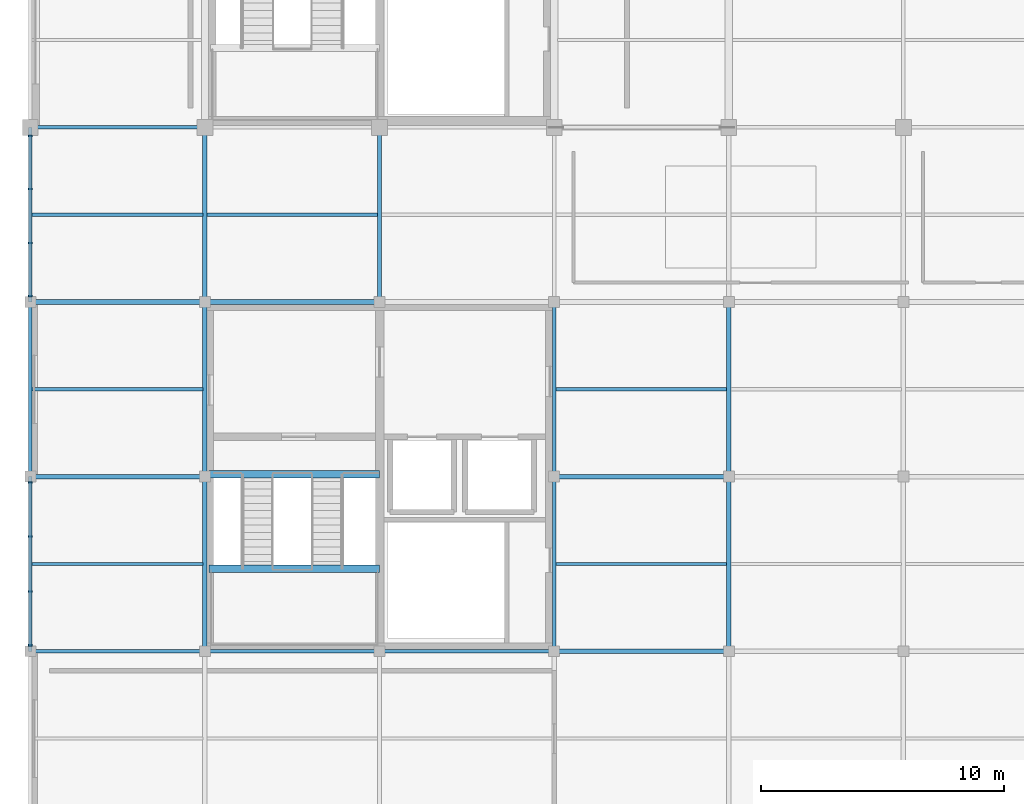
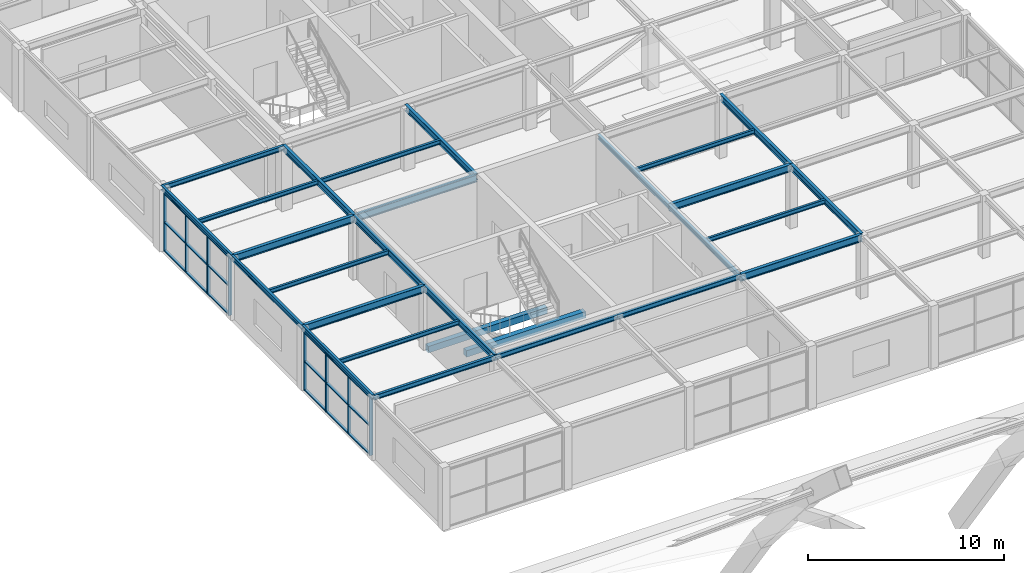
# One storey, part 31 of 64: 28 beams, 14 members, 2 elements without a shape of their own.
"""IFC4 building model written with IfcOpenShell, lengths in metres."""

import ifcopenshell
import ifcopenshell.guid

model = None  # the IFC model being written
_history = None  # IfcOwnerHistory: only IFC2X3 demands one
_inside = {}  # id of a spatial element -> (the spatial element, [elements in it])
_under = {}  # id of a project, library or spatial element -> (it, [spatial elements below it])
_declared = {}  # id of a project -> (the project, [libraries it declares])
_typed = {}  # id of a type object -> (the type object, [elements of that type])
_made_of = {}  # id of a material, layer set ... -> (it, [elements and type objects made of it])


def new_model(schema):
    """Start an empty IFC model of exactly this schema.

    Asked for "IFC4X3", IfcOpenShell would pick the latest addendum, in which some entities
    have other attributes; the version numbers below select the first issue.
    IFC2X3 requires an IfcOwnerHistory on every rooted entity: one is made here for all.
    """
    global model, _history
    if schema == "IFC4X3":
        model = ifcopenshell.file(schema_version=(4, 3, 0, 0))
    else:
        model = ifcopenshell.file(schema=schema)
    _inside.clear()
    _under.clear()
    _declared.clear()
    _typed.clear()
    _made_of.clear()
    _history = None
    if model.schema == "IFC2X3":
        org = make("IfcOrganization", Name="unknown")
        user = make(
            "IfcPersonAndOrganization",
            ThePerson=make("IfcPerson", FamilyName="unknown"),
            TheOrganization=org,
        )
        app = make(
            "IfcApplication",
            ApplicationDeveloper=org,
            Version="unknown",
            ApplicationFullName="unknown",
            ApplicationIdentifier="unknown",
        )
        _history = make(
            "IfcOwnerHistory",
            OwningUser=user,
            OwningApplication=app,
            ChangeAction="ADDED",
            CreationDate=0,
        )
    return model


def make(cls, **values):
    """One entity of the class cls with the attributes given. An attribute that is None is left unset."""
    return model.create_entity(
        cls, **{name: value for name, value in values.items() if value is not None}
    )


def rooted(cls, **values):
    """An entity with a GlobalId (a new one), such as an element, a storey or a relation."""
    return make(cls, GlobalId=ifcopenshell.guid.new(), OwnerHistory=_history, **values)


def si_unit(unit_type, name, prefix=None):
    """IfcSIUnit, for example si_unit("LENGTHUNIT", "METRE", prefix="MILLI")."""
    return make("IfcSIUnit", UnitType=unit_type, Prefix=prefix, Name=name)


def assignment(units):
    """IfcUnitAssignment: the units of a project."""
    return None if units is None else make("IfcUnitAssignment", Units=units)


def point(xyz):
    """IfcCartesianPoint."""
    return None if xyz is None else make("IfcCartesianPoint", Coordinates=xyz)


def direction(xyz):
    """IfcDirection."""
    return None if xyz is None else make("IfcDirection", DirectionRatios=xyz)


def frame(location, z_axis=None, x_axis=None):
    """IfcAxis2Placement3D, a coordinate frame: its origin and axes. An axis left out is left unset."""
    return make(
        "IfcAxis2Placement3D",
        Location=point(location),
        Axis=direction(z_axis),
        RefDirection=direction(x_axis),
    )


def frame_2d(location, x_axis=None):
    """IfcAxis2Placement2D, a coordinate frame in the plane: its origin and x axis."""
    return make(
        "IfcAxis2Placement2D", Location=point(location), RefDirection=direction(x_axis)
    )


def origin():
    """The frame at (0, 0, 0) with its axes left unset."""
    return frame((0.0, 0.0, 0.0))


def origin_2d():
    """The frame at (0, 0) in the plane with its x axis left unset."""
    return frame_2d((0.0, 0.0))


def place(relative_to, where):
    """IfcLocalPlacement: puts the frame where relative to a parent placement (None: the world)."""
    return make(
        "IfcLocalPlacement", PlacementRelTo=relative_to, RelativePlacement=where
    )


def context(
    kind, dimensions, precision=None, world=None, true_north=None, identifier=None
):
    """IfcGeometricRepresentationContext, for example the 3D "Model" context."""
    return make(
        "IfcGeometricRepresentationContext",
        ContextIdentifier=identifier,
        ContextType=kind,
        CoordinateSpaceDimension=dimensions,
        Precision=precision,
        WorldCoordinateSystem=world,
        TrueNorth=true_north,
    )


def subcontext(parent, identifier, kind, view, scale=None):
    """IfcGeometricRepresentationSubContext, for example "Body" below "Model"."""
    return make(
        "IfcGeometricRepresentationSubContext",
        ContextIdentifier=identifier,
        ContextType=kind,
        ParentContext=parent,
        TargetScale=scale,
        TargetView=view,
    )


def project(units=None, contexts=None):
    """IfcProject with its units and contexts."""
    return rooted(
        "IfcProject",
        Name="project",
        RepresentationContexts=contexts,
        UnitsInContext=assignment(units),
    )


def spatial(cls, under=None, at=None, **own):
    """A site, building, storey or space (cls), placed at a placement, below another one or the project."""
    s = rooted(cls, ObjectPlacement=at, **own)
    if under is not None:
        _under.setdefault(under.id(), (under, []))[1].append(s)
    return s


def profile(cls, at=None, kind="AREA", **sizes):
    """A parametric profile (cls). Its sizes go by their IFC names, for example OverallWidth=200.0."""
    return make(cls, ProfileType=kind, Position=at, **sizes)


def rectangle(**sizes):
    """IfcRectangleProfileDef."""
    return profile("IfcRectangleProfileDef", **sizes)


def i_section(**sizes):
    """IfcIShapeProfileDef."""
    return profile("IfcIShapeProfileDef", **sizes)


def extrude(swept, where, along, depth):
    """IfcExtrudedAreaSolid: the profile swept, set in the frame where, extruded along a direction by depth."""
    return make(
        "IfcExtrudedAreaSolid",
        SweptArea=swept,
        Position=where,
        ExtrudedDirection=direction(along),
        Depth=depth,
    )


def shape(context_of_items, identifier, shape_type, items):
    """IfcShapeRepresentation: the items that make up one representation, for example the "Body"."""
    return make(
        "IfcShapeRepresentation",
        ContextOfItems=context_of_items,
        RepresentationIdentifier=identifier,
        RepresentationType=shape_type,
        Items=items,
    )


def material(Name=None, Category=None):
    """IfcMaterial."""
    return make("IfcMaterial", Name=Name, Category=Category)


def material_profile(
    of_material, cross_section, Name=None, Category=None, Priority=None
):
    """IfcMaterialProfile: a cross section and its material."""
    return make(
        "IfcMaterialProfile",
        Name=Name,
        Material=of_material,
        Profile=cross_section,
        Priority=Priority,
        Category=Category,
    )


def profile_set(profiles, Name=None, composite=None):
    """IfcMaterialProfileSet."""
    return make(
        "IfcMaterialProfileSet",
        Name=Name,
        MaterialProfiles=profiles,
        CompositeProfile=composite,
    )


def made_of(thing, what):
    """Note that an element or type object is made of a material, layer set ...; save() writes the relation."""
    if what is not None:
        _made_of.setdefault(what.id(), (what, []))[1].append(thing)
    return thing


def type_object(cls, material=None, **own):
    """A type object (cls), such as IfcWallType, which elements share."""
    return made_of(rooted(cls, **own), material)


def element(
    cls,
    number,
    at=None,
    inside=None,
    cuts=None,
    type_object=None,
    material=None,
    context=None,
    identifier="Body",
    shape_type=None,
    held_by="IfcProductDefinitionShape",
    body=None,
    shapes=None,
    **own,
):
    """One element of the class cls, such as IfcWall. Its Tag is "e" and its number.

    at: its placement. inside: the storey or other place that contains it. cuts: it is an
    opening in that element (IfcRelVoidsElement). A single representation is given by context,
    identifier, shape_type and body (its items); several are given by shapes. held_by: the class
    of the entity that holds the representations. save() writes the other relations.
    """
    e = rooted(cls, Tag="e%d" % number, ObjectPlacement=at, **own)
    if body is not None:
        shapes = [shape(context, identifier, shape_type, body)]
    if shapes is not None:
        e.Representation = make(held_by, Representations=shapes)
    if inside is not None:
        _inside.setdefault(inside.id(), (inside, []))[1].append(e)
    if cuts is not None:
        rooted(
            "IfcRelVoidsElement", RelatingBuildingElement=cuts, RelatedOpeningElement=e
        )
    if type_object is not None:
        _typed.setdefault(type_object.id(), (type_object, []))[1].append(e)
    return made_of(e, material)


def aggregate(whole, parts):
    """IfcRelAggregates: a whole, such as a stair, and the parts it consists of."""
    return rooted("IfcRelAggregates", RelatingObject=whole, RelatedObjects=parts)


def save(model, path):
    """Write the relations noted so far, then the file.

    IfcRelAggregates (storeys below a building ...), IfcRelContainedInSpatialStructure (elements
    in a storey), IfcRelDefinesByType, IfcRelAssociatesMaterial and IfcRelDeclares: one each for
    every whole, place, type object, material and project.
    """
    for whole, parts in _under.values():
        aggregate(whole, parts)
    for where, things in _inside.values():
        rooted(
            "IfcRelContainedInSpatialStructure",
            RelatedElements=things,
            RelatingStructure=where,
        )
    for kind, things in _typed.values():
        rooted("IfcRelDefinesByType", RelatedObjects=things, RelatingType=kind)
    for what, things in _made_of.values():
        rooted("IfcRelAssociatesMaterial", RelatedObjects=things, RelatingMaterial=what)
    for by, libraries in _declared.values():
        rooted("IfcRelDeclares", RelatingContext=by, RelatedDefinitions=libraries)
    model.write(path)


model = new_model("IFC4")

# Units and contexts
model_context = context("Model", 3, precision=1e-05, world=origin(), true_north=direction((0.0, 1.0)))
body_context = subcontext(model_context, "Body", "Model", "MODEL_VIEW")
ifc_project = project(units=[si_unit("LENGTHUNIT", "METRE"), si_unit("AREAUNIT", "SQUARE_METRE"), si_unit("VOLUMEUNIT", "CUBIC_METRE"), si_unit("PLANEANGLEUNIT", "RADIAN"), si_unit("MASSUNIT", "GRAM", prefix="KILO")], contexts=[model_context])

# Site, building, storey
site_placement = place(None, origin())
site = spatial("IfcSite", under=ifc_project, at=site_placement, CompositionType="ELEMENT")
building_placement = place(site_placement, origin())
building = spatial("IfcBuilding", under=site, at=building_placement, Name="Leyfeld Transit Interchange", CompositionType="ELEMENT")
storey_placement = place(building_placement, frame((0.0, 0.0, 9.60009765625)))
storey = spatial("IfcBuildingStorey", under=building, at=storey_placement, Name="L02", CompositionType="ELEMENT", Elevation=9.60009765625)

# Beams
ifc_material_1 = material(Name="Concrete C35/45", Category="concrete")
ifc_material_profile_1 = material_profile(ifc_material_1, rectangle(XDim=0.300048828125, YDim=0.39990234375, at=origin_2d()), Name="RC 400x300")
ifc_profile_set_1 = profile_set([ifc_material_profile_1], Name="Concrete C35/45")
beam_type_1 = type_object("IfcBeamType", Name="BM-RC-400x300", PredefinedType="LINTEL", material=ifc_profile_set_1)
for number, where, z_axis, x_axis, name in (
    (1, (7.375, 79.300048828125, -0.2001953125), (1.0, 0.0, 0.0), (0.0, 1.0, 0.0), "Core K3 Floor Landing Corbel L02"),
    (2, (7.375, 75.39990234375, 1.89990234375), (1.0, 0.0, 0.0), (0.0, 1.0, 0.0), "Stair ST-03 L02 Half-Landing Corbel"),
):
    element("IfcBeam", number, at=place(storey_placement, frame(where, z_axis=z_axis, x_axis=x_axis)), inside=storey, type_object=beam_type_1, Name=name, PredefinedType="LINTEL", context=body_context, shape_type="SweptSolid", body=[
        extrude(rectangle(XDim=0.300048828125, YDim=0.39990234375, at=origin_2d()), origin(), (0.0, 0.0, 1.0), 7.02490234375),
    ])
ifc_material_2 = material(Name="Steel S355J2", Category="steel")
ifc_material_profile_2 = material_profile(ifc_material_2, i_section(OverallWidth=0.135009765625, OverallDepth=0.27001953125, WebThickness=0.006591796875, FlangeThickness=0.01025390625, FilletRadius=0.014892578125, at=origin_2d()), Name="IPE 270")
ifc_profile_set_2 = profile_set([ifc_material_profile_2], Name="Steel S355J2")
beam_type_2 = type_object("IfcBeamType", Name="BM-STL-IPE270", PredefinedType="BEAM", material=ifc_profile_set_2)
for number, where, z_axis, x_axis, name in (
    (3, (0.072021484375, 75.60009765625, 3.784912109375), (1.0, 0.0, 0.0), (0.0, 1.0, 0.0), "Beam BM-L02-0001_0756-0071_0756"),
    (4, (0.072021484375, 82.800048828125, 3.784912109375), (1.0, 0.0, 0.0), (0.0, 1.0, 0.0), "Beam BM-L02-0001_0828-0071_0828"),
    (5, (0.072021484375, 90.0, 3.784912109375), (1.0, 0.0, 0.0), (0.0, 1.0, 0.0), "Beam BM-L02-0001_0900-0071_0900"),
):
    element("IfcBeam", number, at=place(storey_placement, frame(where, z_axis=z_axis, x_axis=x_axis)), inside=storey, type_object=beam_type_2, Name=name, PredefinedType="BEAM", context=body_context, shape_type="SweptSolid", body=[
        extrude(i_section(OverallWidth=0.135009765625, OverallDepth=0.27001953125, WebThickness=0.006591796875, FlangeThickness=0.01025390625, FilletRadius=0.014892578125, at=origin_2d()), origin(), (0.0, 0.0, 1.0), 7.041015625),
    ])
beam_1_placement = place(storey_placement, frame((7.287109375, 90.0, 3.784912109375), z_axis=(1.0, 0.0, 0.0), x_axis=(0.0, 1.0, 0.0)))
element("IfcBeam", 6, at=beam_1_placement, inside=storey, type_object=beam_type_2, Name="Beam BM-L02-0073_0900-0143_0900", PredefinedType="BEAM", context=body_context, shape_type="SweptSolid", body=[
    extrude(i_section(OverallWidth=0.135009765625, OverallDepth=0.27001953125, WebThickness=0.006591796875, FlangeThickness=0.01025390625, FilletRadius=0.014892578125, at=origin_2d()), origin(), (0.0, 0.0, 1.0), 7.02587890625),
])
for number, where, z_axis, x_axis, name in (
    (7, (21.672119140625, 75.60009765625, 3.764892578125), (1.0, 0.0, 0.0), (0.0, 1.0, 0.0), "Beam BM-L02-0217_0756-0287_0756"),
    (8, (21.672119140625, 82.800048828125, 3.764892578125), (1.0, 0.0, 0.0), (0.0, 1.0, 0.0), "Beam BM-L02-0217_0828-0287_0828"),
):
    element("IfcBeam", number, at=place(storey_placement, frame(where, z_axis=z_axis, x_axis=x_axis)), inside=storey, type_object=beam_type_2, Name=name, PredefinedType="BEAM", context=body_context, shape_type="SweptSolid", body=[
        extrude(i_section(OverallWidth=0.135009765625, OverallDepth=0.27001953125, WebThickness=0.006591796875, FlangeThickness=0.01025390625, FilletRadius=0.014892578125, at=origin_2d()), origin(), (0.0, 0.0, 1.0), 7.040771484375),
    ])
ifc_material_profile_3 = material_profile(ifc_material_2, i_section(OverallWidth=0.14990234375, OverallDepth=0.300048828125, WebThickness=0.007080078125, FlangeThickness=0.0107421875, FilletRadius=0.014892578125, at=origin_2d()), Name="IPE 300")
ifc_profile_set_3 = profile_set([ifc_material_profile_3], Name="Steel S355J2")
beam_type_3 = type_object("IfcBeamType", Name="BM-STL-IPE300", PredefinedType="SPANDREL", material=ifc_profile_set_3)
for number, where, z_axis, x_axis, name in (
    (9, (0.0, 72.0, 3.77001953125), (0.0, 1.0, 0.0), (-1.0, 0.0, 0.0), "Beam BM-L02-0000_0720-0000_0792"),
    (10, (0.0, 79.199951171875, 3.77001953125), (0.0, 1.0, 0.0), (-1.0, 0.0, 0.0), "Beam BM-L02-0000_0792-0000_0864"),
):
    element("IfcBeam", number, at=place(storey_placement, frame(where, z_axis=z_axis, x_axis=x_axis)), inside=storey, type_object=beam_type_3, Name=name, PredefinedType="SPANDREL", context=body_context, shape_type="SweptSolid", body=[
        extrude(i_section(OverallWidth=0.14990234375, OverallDepth=0.300048828125, WebThickness=0.007080078125, FlangeThickness=0.0107421875, FilletRadius=0.014892578125, at=origin_2d()), origin(), (0.0, 0.0, 1.0), 7.199951171875),
    ])
beam_2_placement = place(storey_placement, frame((0.0, 86.39990234375, 3.77001953125), z_axis=(0.0, 1.0, 0.0), x_axis=(-1.0, 0.0, 0.0)))
element("IfcBeam", 11, at=beam_2_placement, inside=storey, type_object=beam_type_3, Name="Beam BM-L02-0000_0864-0000_0936", PredefinedType="SPANDREL", context=body_context, shape_type="SweptSolid", body=[
    extrude(i_section(OverallWidth=0.14990234375, OverallDepth=0.300048828125, WebThickness=0.007080078125, FlangeThickness=0.0107421875, FilletRadius=0.014892578125, at=origin_2d()), origin(), (0.0, 0.0, 1.0), 7.2001953125),
])
for number, where, z_axis, x_axis, name in (
    (12, (21.60009765625, 72.0, 3.75), (0.0, 1.0, 0.0), (-1.0, 0.0, 0.0), "Beam BM-L02-0216_0720-0216_0792"),
    (13, (21.60009765625, 79.199951171875, 3.75), (0.0, 1.0, 0.0), (-1.0, 0.0, 0.0), "Beam BM-L02-0216_0792-0216_0864"),
    (14, (0.0, 72.0, 3.75), (1.0, 0.0, 0.0), (0.0, 1.0, 0.0), "Beam BM-L02-0000_0720-0072_0720"),
    (15, (7.199951171875, 72.0, 3.75), (1.0, 0.0, 0.0), (0.0, 1.0, 0.0), "Beam BM-L02-0072_0720-0144_0720"),
):
    element("IfcBeam", number, at=place(storey_placement, frame(where, z_axis=z_axis, x_axis=x_axis)), inside=storey, type_object=beam_type_3, Name=name, PredefinedType="SPANDREL", context=body_context, shape_type="SweptSolid", body=[
        extrude(i_section(OverallWidth=0.14990234375, OverallDepth=0.300048828125, WebThickness=0.007080078125, FlangeThickness=0.0107421875, FilletRadius=0.014892578125, at=origin_2d()), origin(), (0.0, 0.0, 1.0), 7.199951171875),
    ])
beam_3_placement = place(storey_placement, frame((14.39990234375, 72.0, 3.75), z_axis=(1.0, 0.0, 0.0), x_axis=(0.0, 1.0, 0.0)))
element("IfcBeam", 16, at=beam_3_placement, inside=storey, type_object=beam_type_3, Name="Beam BM-L02-0144_0720-0216_0720", PredefinedType="SPANDREL", context=body_context, shape_type="SweptSolid", body=[
    extrude(i_section(OverallWidth=0.14990234375, OverallDepth=0.300048828125, WebThickness=0.007080078125, FlangeThickness=0.0107421875, FilletRadius=0.014892578125, at=origin_2d()), origin(), (0.0, 0.0, 1.0), 7.2001953125),
])
beam_4_placement = place(storey_placement, frame((0.0, 93.60009765625, 3.72998046875), z_axis=(1.0, 0.0, 0.0), x_axis=(0.0, 1.0, 0.0)))
element("IfcBeam", 17, at=beam_4_placement, inside=storey, type_object=beam_type_3, Name="Beam BM-L02-0000_0936-0072_0936", PredefinedType="SPANDREL", context=body_context, shape_type="SweptSolid", body=[
    extrude(i_section(OverallWidth=0.14990234375, OverallDepth=0.300048828125, WebThickness=0.007080078125, FlangeThickness=0.0107421875, FilletRadius=0.014892578125, at=origin_2d()), origin(), (0.0, 0.0, 1.0), 7.199951171875),
])
ifc_material_profile_4 = material_profile(ifc_material_2, i_section(OverallWidth=0.179931640625, OverallDepth=0.39990234375, WebThickness=0.008544921875, FlangeThickness=0.013427734375, FilletRadius=0.02099609375, at=origin_2d()), Name="IPE 400")
ifc_profile_set_4 = profile_set([ifc_material_profile_4], Name="Steel S355J2")
beam_type_4 = type_object("IfcBeamType", Name="BM-STL-IPE400", PredefinedType="BEAM", material=ifc_profile_set_4)
for number, where, z_axis, x_axis, name in (
    (18, (7.199951171875, 72.0, 3.719970703125), (0.0, 1.0, 0.0), (-1.0, 0.0, 0.0), "Beam BM-L02-0072_0720-0072_0792"),
    (19, (7.199951171875, 79.199951171875, 3.719970703125), (0.0, 1.0, 0.0), (-1.0, 0.0, 0.0), "Beam BM-L02-0072_0792-0072_0864"),
):
    element("IfcBeam", number, at=place(storey_placement, frame(where, z_axis=z_axis, x_axis=x_axis)), inside=storey, type_object=beam_type_4, Name=name, PredefinedType="BEAM", context=body_context, shape_type="SweptSolid", body=[
        extrude(i_section(OverallWidth=0.179931640625, OverallDepth=0.39990234375, WebThickness=0.008544921875, FlangeThickness=0.013427734375, FilletRadius=0.02099609375, at=origin_2d()), origin(), (0.0, 0.0, 1.0), 7.199951171875),
    ])
for number, where, z_axis, x_axis, name in (
    (20, (7.199951171875, 86.39990234375, 3.719970703125), (0.0, 1.0, 0.0), (-1.0, 0.0, 0.0), "Beam BM-L02-0072_0864-0072_0936"),
    (21, (14.39990234375, 86.39990234375, 3.719970703125), (0.0, 1.0, 0.0), (-1.0, 0.0, 0.0), "Beam BM-L02-0144_0864-0144_0936"),
):
    element("IfcBeam", number, at=place(storey_placement, frame(where, z_axis=z_axis, x_axis=x_axis)), inside=storey, type_object=beam_type_4, Name=name, PredefinedType="BEAM", context=body_context, shape_type="SweptSolid", body=[
        extrude(i_section(OverallWidth=0.179931640625, OverallDepth=0.39990234375, WebThickness=0.008544921875, FlangeThickness=0.013427734375, FilletRadius=0.02099609375, at=origin_2d()), origin(), (0.0, 0.0, 1.0), 7.2001953125),
    ])
for number, where, z_axis, x_axis, name in (
    (22, (28.800048828125, 72.0, 3.699951171875), (0.0, 1.0, 0.0), (-1.0, 0.0, 0.0), "Beam BM-L02-0288_0720-0288_0792"),
    (23, (28.800048828125, 79.199951171875, 3.699951171875), (0.0, 1.0, 0.0), (-1.0, 0.0, 0.0), "Beam BM-L02-0288_0792-0288_0864"),
):
    element("IfcBeam", number, at=place(storey_placement, frame(where, z_axis=z_axis, x_axis=x_axis)), inside=storey, type_object=beam_type_4, Name=name, PredefinedType="BEAM", context=body_context, shape_type="SweptSolid", body=[
        extrude(i_section(OverallWidth=0.179931640625, OverallDepth=0.39990234375, WebThickness=0.008544921875, FlangeThickness=0.013427734375, FilletRadius=0.02099609375, at=origin_2d()), origin(), (0.0, 0.0, 1.0), 7.199951171875),
    ])
ifc_material_profile_5 = material_profile(ifc_material_2, i_section(OverallWidth=0.18994140625, OverallDepth=0.449951171875, WebThickness=0.009521484375, FlangeThickness=0.0146484375, FilletRadius=0.02099609375, at=origin_2d()), Name="IPE 450")
ifc_profile_set_5 = profile_set([ifc_material_profile_5], Name="Steel S355J2")
beam_type_5 = type_object("IfcBeamType", Name="BM-STL-IPE450", PredefinedType="BEAM", material=ifc_profile_set_5)
for number, where, z_axis, x_axis, name in (
    (24, (0.0, 79.199951171875, 3.69482421875), (1.0, 0.0, 0.0), (0.0, 1.0, 0.0), "Beam BM-L02-0000_0792-0072_0792"),
    (25, (0.0, 86.39990234375, 3.69482421875), (1.0, 0.0, 0.0), (0.0, 1.0, 0.0), "Beam BM-L02-0000_0864-0072_0864"),
    (26, (7.199951171875, 86.39990234375, 3.69482421875), (1.0, 0.0, 0.0), (0.0, 1.0, 0.0), "Beam BM-L02-0072_0864-0144_0864"),
    (27, (21.60009765625, 72.0, 3.6748046875), (1.0, 0.0, 0.0), (0.0, 1.0, 0.0), "Beam BM-L02-0216_0720-0288_0720"),
    (28, (21.60009765625, 79.199951171875, 3.6748046875), (1.0, 0.0, 0.0), (0.0, 1.0, 0.0), "Beam BM-L02-0216_0792-0288_0792"),
):
    element("IfcBeam", number, at=place(storey_placement, frame(where, z_axis=z_axis, x_axis=x_axis)), inside=storey, type_object=beam_type_5, Name=name, PredefinedType="BEAM", context=body_context, shape_type="SweptSolid", body=[
        extrude(i_section(OverallWidth=0.18994140625, OverallDepth=0.449951171875, WebThickness=0.009521484375, FlangeThickness=0.0146484375, FilletRadius=0.02099609375, at=origin_2d()), origin(), (0.0, 0.0, 1.0), 7.199951171875),
    ])

# Curtain wall, members
ifc_material_3 = material(Name="Anodised aluminium EN AW-6060 T66", Category="aluminium")
curtain_wall_type = type_object("IfcCurtainWallType", Name="CW-SYS-CYC-7200", PredefinedType="NOTDEFINED", material=ifc_material_3)
curtain_wall_1_placement = place(storey_placement, origin())
curtain_wall_1 = element("IfcCurtainWall", 29, at=curtain_wall_1_placement, inside=storey, type_object=curtain_wall_type, Name="Curtain Wall CW-L02-103", PredefinedType="NOTDEFINED")
ifc_material_profile_6 = material_profile(ifc_material_3, rectangle(XDim=0.06494140625, YDim=0.179931640625, at=origin_2d()), Name="CW-M 65x180")
ifc_profile_set_6 = profile_set([ifc_material_profile_6], Name="Anodised aluminium EN AW-6060 T66")
member_type_1 = type_object("IfcMemberType", Name="CW-MUL-150x65", PredefinedType="MULLION", material=ifc_profile_set_6)
member_1_placement = place(storey_placement, frame((0.0, 72.24755859375, 0.0), z_axis=(0.0, 0.0, 1.0), x_axis=(0.0, 1.0, 0.0)))
member_1 = element("IfcMember", 30, at=member_1_placement, type_object=member_type_1, Name="Curtain Mullion CW-L02-103-M01", PredefinedType="MULLION", context=body_context, shape_type="SweptSolid", body=[
    extrude(rectangle(XDim=0.06494140625, YDim=0.179931640625, at=origin_2d()), origin(), (0.0, 0.0, 1.0), 3.619873046875),
])
member_2_placement = place(storey_placement, frame((0.0, 74.4716796875, 0.0), z_axis=(0.0, 0.0, 1.0), x_axis=(0.0, 1.0, 0.0)))
member_2 = element("IfcMember", 31, at=member_2_placement, type_object=member_type_1, Name="Curtain Mullion CW-L02-103-M02", PredefinedType="MULLION", context=body_context, shape_type="SweptSolid", body=[
    extrude(rectangle(XDim=0.06494140625, YDim=0.179931640625, at=origin_2d()), origin(), (0.0, 0.0, 1.0), 3.619873046875),
])
member_3_placement = place(storey_placement, frame((0.0, 76.728271484375, 0.0), z_axis=(0.0, 0.0, 1.0), x_axis=(0.0, 1.0, 0.0)))
member_3 = element("IfcMember", 32, at=member_3_placement, type_object=member_type_1, Name="Curtain Mullion CW-L02-103-M03", PredefinedType="MULLION", context=body_context, shape_type="SweptSolid", body=[
    extrude(rectangle(XDim=0.06494140625, YDim=0.179931640625, at=origin_2d()), origin(), (0.0, 0.0, 1.0), 3.619873046875),
])
member_4_placement = place(storey_placement, frame((0.0, 78.952392578125, 0.0), z_axis=(0.0, 0.0, 1.0), x_axis=(0.0, 1.0, 0.0)))
member_4 = element("IfcMember", 33, at=member_4_placement, type_object=member_type_1, Name="Curtain Mullion CW-L02-103-M04", PredefinedType="MULLION", context=body_context, shape_type="SweptSolid", body=[
    extrude(rectangle(XDim=0.06494140625, YDim=0.179931640625, at=origin_2d()), origin(), (0.0, 0.0, 1.0), 3.619873046875),
])

curtain_wall_2_placement = place(storey_placement, origin())
curtain_wall_2 = element("IfcCurtainWall", 34, at=curtain_wall_2_placement, inside=storey, type_object=curtain_wall_type, Name="Curtain Wall CW-L02-104", PredefinedType="NOTDEFINED")
member_5_placement = place(storey_placement, frame((0.0, 86.6474609375, 0.0), z_axis=(0.0, 0.0, 1.0), x_axis=(0.0, 1.0, 0.0)))
member_5 = element("IfcMember", 35, at=member_5_placement, type_object=member_type_1, Name="Curtain Mullion CW-L02-104-M01", PredefinedType="MULLION", context=body_context, shape_type="SweptSolid", body=[
    extrude(rectangle(XDim=0.06494140625, YDim=0.179931640625, at=origin_2d()), origin(), (0.0, 0.0, 1.0), 3.619873046875),
])
member_6_placement = place(storey_placement, frame((0.0, 88.83837890625, 0.0), z_axis=(0.0, 0.0, 1.0), x_axis=(0.0, 1.0, 0.0)))
member_6 = element("IfcMember", 36, at=member_6_placement, type_object=member_type_1, Name="Curtain Mullion CW-L02-104-M02", PredefinedType="MULLION", context=body_context, shape_type="SweptSolid", body=[
    extrude(rectangle(XDim=0.06494140625, YDim=0.179931640625, at=origin_2d()), origin(), (0.0, 0.0, 1.0), 3.619873046875),
])
member_7_placement = place(storey_placement, frame((0.0, 91.061767578125, 0.0), z_axis=(0.0, 0.0, 1.0), x_axis=(0.0, 1.0, 0.0)))
member_7 = element("IfcMember", 37, at=member_7_placement, type_object=member_type_1, Name="Curtain Mullion CW-L02-104-M03", PredefinedType="MULLION", context=body_context, shape_type="SweptSolid", body=[
    extrude(rectangle(XDim=0.06494140625, YDim=0.179931640625, at=origin_2d()), origin(), (0.0, 0.0, 1.0), 3.619873046875),
])
member_8_placement = place(storey_placement, frame((0.0, 93.25244140625, 0.0), z_axis=(0.0, 0.0, 1.0), x_axis=(0.0, 1.0, 0.0)))
member_8 = element("IfcMember", 38, at=member_8_placement, type_object=member_type_1, Name="Curtain Mullion CW-L02-104-M04", PredefinedType="MULLION", context=body_context, shape_type="SweptSolid", body=[
    extrude(rectangle(XDim=0.06494140625, YDim=0.179931640625, at=origin_2d()), origin(), (0.0, 0.0, 1.0), 3.619873046875),
])

# Member
ifc_material_profile_7 = material_profile(ifc_material_3, rectangle(XDim=0.14990234375, YDim=0.06494140625, at=origin_2d()), Name="CW-TRN-135x65")
ifc_profile_set_7 = profile_set([ifc_material_profile_7], Name="Anodised aluminium EN AW-6060 T66")
member_type_2 = type_object("IfcMemberType", Name="CW-TRN-135x65", PredefinedType="USERDEFINED", material=ifc_profile_set_7)
member_9_placement = place(storey_placement, frame((0.0, 72.215087890625, 0.032470703125), z_axis=(0.0, 1.0, 0.0), x_axis=(-1.0, 0.0, 0.0)))
member_9 = element("IfcMember", 39, at=member_9_placement, type_object=member_type_2, Name="Curtain Transom CW-L02-103-T01", ObjectType="TRANSOM", PredefinedType="USERDEFINED", context=body_context, shape_type="SweptSolid", body=[
    extrude(rectangle(XDim=0.14990234375, YDim=0.06494140625, at=origin_2d()), origin(), (0.0, 0.0, 1.0), 6.77001953125),
])

member_10_placement = place(storey_placement, frame((0.0, 72.215087890625, 1.809814453125), z_axis=(0.0, 1.0, 0.0), x_axis=(-1.0, 0.0, 0.0)))
member_10 = element("IfcMember", 40, at=member_10_placement, type_object=member_type_2, Name="Curtain Transom CW-L02-103-T02", ObjectType="TRANSOM", PredefinedType="USERDEFINED", context=body_context, shape_type="SweptSolid", body=[
    extrude(rectangle(XDim=0.14990234375, YDim=0.06494140625, at=origin_2d()), origin(), (0.0, 0.0, 1.0), 6.77001953125),
])

member_11_placement = place(storey_placement, frame((0.0, 72.215087890625, 3.58740234375), z_axis=(0.0, 1.0, 0.0), x_axis=(-1.0, 0.0, 0.0)))
member_11 = element("IfcMember", 41, at=member_11_placement, type_object=member_type_2, Name="Curtain Transom CW-L02-103-T03", ObjectType="TRANSOM", PredefinedType="USERDEFINED", context=body_context, shape_type="SweptSolid", body=[
    extrude(rectangle(XDim=0.14990234375, YDim=0.06494140625, at=origin_2d()), origin(), (0.0, 0.0, 1.0), 6.77001953125),
])

aggregate(curtain_wall_1, [member_1, member_2, member_3, member_4, member_9, member_10, member_11])

member_12_placement = place(storey_placement, frame((0.0, 86.614990234375, 0.032470703125), z_axis=(0.0, 1.0, 0.0), x_axis=(-1.0, 0.0, 0.0)))
member_12 = element("IfcMember", 42, at=member_12_placement, type_object=member_type_2, Name="Curtain Transom CW-L02-104-T01", ObjectType="TRANSOM", PredefinedType="USERDEFINED", context=body_context, shape_type="SweptSolid", body=[
    extrude(rectangle(XDim=0.14990234375, YDim=0.06494140625, at=origin_2d()), origin(), (0.0, 0.0, 1.0), 6.669921875),
])

member_13_placement = place(storey_placement, frame((0.0, 86.614990234375, 1.809814453125), z_axis=(0.0, 1.0, 0.0), x_axis=(-1.0, 0.0, 0.0)))
member_13 = element("IfcMember", 43, at=member_13_placement, type_object=member_type_2, Name="Curtain Transom CW-L02-104-T02", ObjectType="TRANSOM", PredefinedType="USERDEFINED", context=body_context, shape_type="SweptSolid", body=[
    extrude(rectangle(XDim=0.14990234375, YDim=0.06494140625, at=origin_2d()), origin(), (0.0, 0.0, 1.0), 6.669921875),
])

member_14_placement = place(storey_placement, frame((0.0, 86.614990234375, 3.58740234375), z_axis=(0.0, 1.0, 0.0), x_axis=(-1.0, 0.0, 0.0)))
member_14 = element("IfcMember", 44, at=member_14_placement, type_object=member_type_2, Name="Curtain Transom CW-L02-104-T03", ObjectType="TRANSOM", PredefinedType="USERDEFINED", context=body_context, shape_type="SweptSolid", body=[
    extrude(rectangle(XDim=0.14990234375, YDim=0.06494140625, at=origin_2d()), origin(), (0.0, 0.0, 1.0), 6.669921875),
])

aggregate(curtain_wall_2, [member_5, member_6, member_7, member_8, member_12, member_13, member_14])

save(model, "model.ifc")
